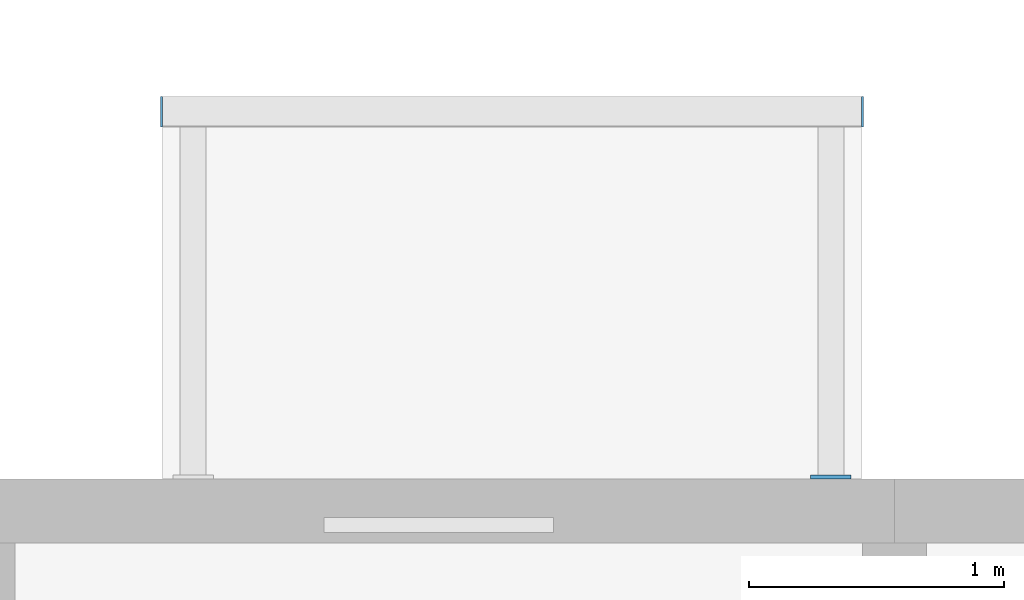
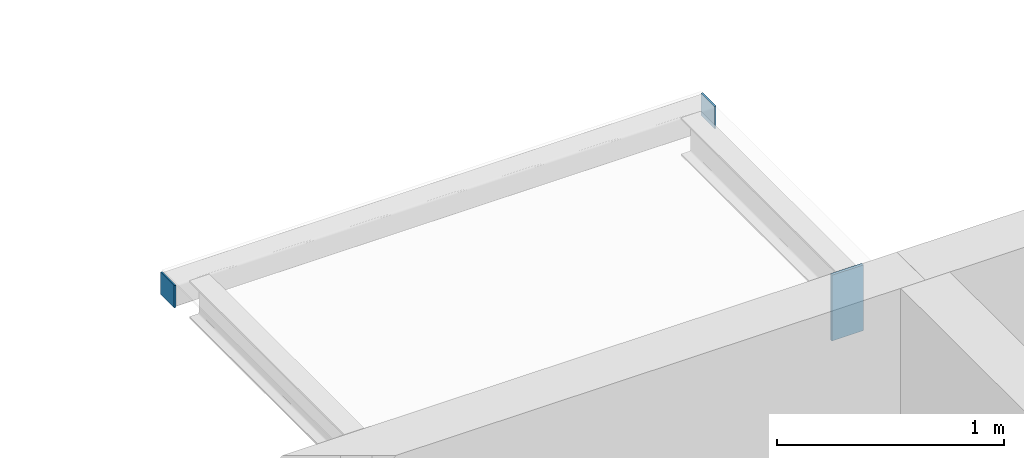
# One storey, part 88 of 122: 3 discrete accessories.
"""IFC4 building model written with IfcOpenShell, lengths in metres."""

from ifc_helpers import new_model, si_unit, direction, frame, origin, origin_2d, place, context, subcontext, project, spatial, rectangle, extrude, material, layer, layer_set, type_object, element, save


model = new_model("IFC4")

# Units and contexts
model_context = context("Model", 3, precision=1e-05, world=origin(), true_north=direction((0.0, 1.0)))
body_context = subcontext(model_context, "Body", "Model", "MODEL_VIEW")
ifc_project = project(units=[si_unit("LENGTHUNIT", "METRE"), si_unit("AREAUNIT", "SQUARE_METRE"), si_unit("VOLUMEUNIT", "CUBIC_METRE"), si_unit("PLANEANGLEUNIT", "RADIAN"), si_unit("MASSUNIT", "GRAM", prefix="KILO")], contexts=[model_context])

# Site, building, storey
site_placement = place(None, origin())
site = spatial("IfcSite", under=ifc_project, at=site_placement, CompositionType="ELEMENT")
building_placement = place(site_placement, origin())
building = spatial("IfcBuilding", under=site, at=building_placement, Name="Ridgestep Commons", CompositionType="ELEMENT")
storey_placement = place(building_placement, frame((0.0, 0.0, 3.0)))
storey = spatial("IfcBuildingStorey", under=building, at=storey_placement, Name="L01", CompositionType="ELEMENT", Elevation=3.0)

# Discrete accessories
ifc_material_1 = material(Name="Weathering steel S355J2W", Category="steel")
ifc_layer_1 = layer(ifc_material_1, 0.014892578125)
ifc_layer_set_1 = layer_set([ifc_layer_1], Name="Tray bracket plate 15")
discrete_accessory_type_1 = type_object("IfcDiscreteAccessoryType", Name="Tray bracket plate 15", PredefinedType="BRACKET", material=ifc_layer_set_1)
discrete_accessory_placement = place(storey_placement, frame((32.14990234375, 23.007568359375, 2.63671875), z_axis=(0.0, 0.0, 1.0), x_axis=(1.0, 0.0, 0.0)))
element("IfcDiscreteAccessory", 1, at=discrete_accessory_placement, inside=storey, type_object=discrete_accessory_type_1, Name="Tray bracket A2T1-02.2", PredefinedType="BRACKET", context=body_context, shape_type="SweptSolid", body=[
    extrude(rectangle(XDim=0.159912109375, YDim=0.014892578125, at=origin_2d()), origin(), (0.0, 0.0, 1.0), 0.353271484375),
])
ifc_material_2 = material(Name="Weathering steel S355J2W", Category="steel")
ifc_layer_2 = layer(ifc_material_2, 0.008056640625)
ifc_layer_set_2 = layer_set([ifc_layer_2], Name="Tray edge member end plate 120 x 120 x 8")
discrete_accessory_type_2 = type_object("IfcDiscreteAccessoryType", Name="Tray edge member end plate 120 x 120 x 8", PredefinedType="BRACKET", material=ifc_layer_set_2)
for number, where, z_axis, x_axis, name in (
    (2, (29.52587890625, 24.43994140625, 2.869873046875), (0.0, 0.0, 1.0), (1.0, 0.0, 0.0), "Tray edge member end plate A2T1-02 west"),
    (3, (32.27392578125, 24.43994140625, 2.869873046875), (0.0, 0.0, 1.0), (1.0, 0.0, 0.0), "Tray edge member end plate A2T1-02 east"),
):
    element("IfcDiscreteAccessory", number, at=place(storey_placement, frame(where, z_axis=z_axis, x_axis=x_axis)), inside=storey, type_object=discrete_accessory_type_2, Name=name, PredefinedType="BRACKET", context=body_context, shape_type="SweptSolid", body=[
        extrude(rectangle(XDim=0.008056640625, YDim=0.1201171875, at=origin_2d()), origin(), (0.0, 0.0, 1.0), 0.1201171875),
    ])

save(model, "model.ifc")
